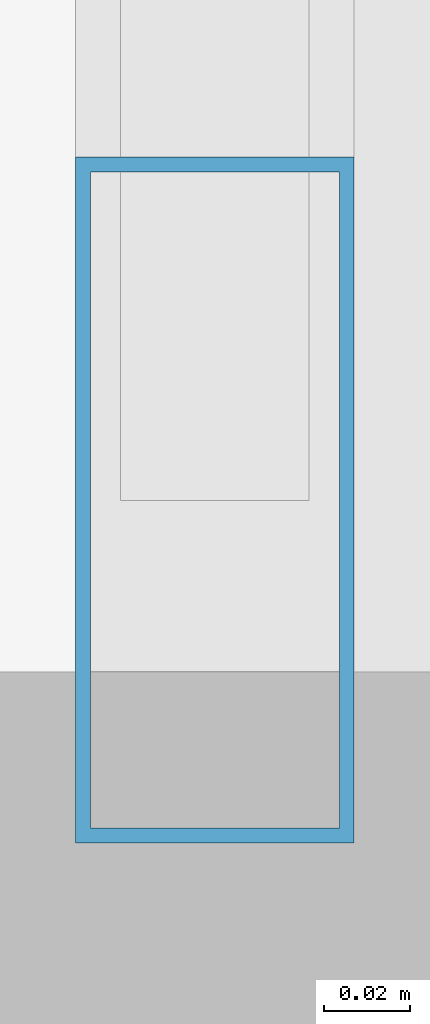
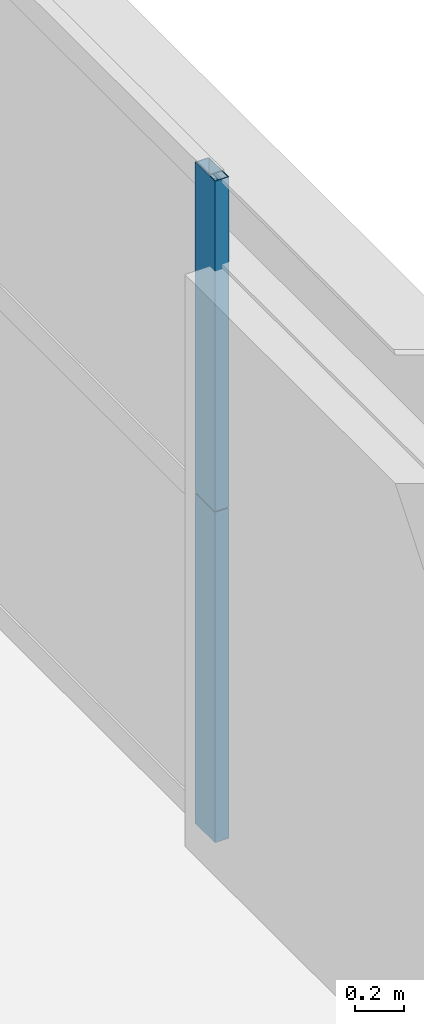
# One storey, part 22 of 45: 2 members, 1 element without a shape of its own.
"""IFC4 building model written with IfcOpenShell, lengths in metres."""

from ifc_helpers import new_model, si_unit, direction, frame, origin, origin_2d, place, context, subcontext, project, spatial, hollow_rectangle, extrude, source, transform, mapped, material, layer, layer_set, material_profile, profile_set, type_object, element, aggregate, save


model = new_model("IFC4")

# Units and contexts
model_context = context("Model", 3, precision=1e-05, world=origin(), true_north=direction((0.0, 1.0)))
body_context = subcontext(model_context, "Body", "Model", "MODEL_VIEW")
ifc_project = project(units=[si_unit("LENGTHUNIT", "METRE"), si_unit("AREAUNIT", "SQUARE_METRE"), si_unit("VOLUMEUNIT", "CUBIC_METRE"), si_unit("PLANEANGLEUNIT", "RADIAN"), si_unit("MASSUNIT", "GRAM", prefix="KILO"), si_unit("THERMODYNAMICTEMPERATUREUNIT", "KELVIN"), si_unit("POWERUNIT", "WATT")], contexts=[model_context])

# Site, building, storey
site_placement = place(None, origin())
site = spatial("IfcSite", under=ifc_project, at=site_placement, CompositionType="ELEMENT")
building_placement = place(site_placement, origin())
building = spatial("IfcBuilding", under=site, at=building_placement, Name="Yuzanri Waterfront Tower", CompositionType="ELEMENT")
storey_placement = place(building_placement, frame((0.0, 0.0, 212.5)))
storey = spatial("IfcBuildingStorey", under=building, at=storey_placement, Name="L56", CompositionType="ELEMENT", Elevation=212.5)

# Curtain wall, members
ifc_material_1 = material(Name="Anodized Architectural Bronze", Category="metal")
ifc_layer = layer(ifc_material_1, 0.159912109375)
ifc_layer_set = layer_set([ifc_layer], Name="Anodized Architectural Bronze")
curtain_wall_type = type_object("IfcCurtainWallType", Name="Anodized Bronze Mid-Rise Residential Acoustic Unitized Curtain Wall 7200", PredefinedType="NOTDEFINED", material=ifc_layer_set)
curtain_wall_placement = place(storey_placement, origin())
curtain_wall = element("IfcCurtainWall", 1, at=curtain_wall_placement, inside=storey, type_object=curtain_wall_type, Name="L56 Curtain Wall CW-L56-EL", PredefinedType="NOTDEFINED")
ifc_material_2 = material(Name="Anodized Architectural Bronze", Category="metal")
ifc_material_profile = material_profile(ifc_material_2, hollow_rectangle(XDim=0.06494140625, YDim=0.159912109375, WallThickness=0.00341796875, at=origin_2d()), Name="CWM 65x160")
ifc_profile_set = profile_set([ifc_material_profile], Name="Anodized Architectural Bronze")
member_type = type_object("IfcMemberType", Name="Anodized Bronze Upper-Zone Curtain-Wall Mullion 65x160", PredefinedType="MULLION", material=ifc_profile_set)
shared_shape = source(origin(), body_context, "Body", "SweptSolid", [
    extrude(hollow_rectangle(XDim=0.06494140625, YDim=0.159912109375, WallThickness=0.00341796875, at=origin_2d()), origin(), (0.0, 0.0, 1.0), 1.637939453125),
])
member_1_placement = place(storey_placement, frame((58.949951171875, 11.090087890625, 0.0), z_axis=(0.0, 0.0, 1.0), x_axis=(1.0, 0.0, 0.0)))
member_1 = element("IfcMember", 2, at=member_1_placement, type_object=member_type, Name="CW-L56-EL Lower Mullion 00", PredefinedType="MULLION", context=body_context, shape_type="MappedRepresentation", body=[
    mapped(shared_shape, transform((0.0, 0.0, 0.0), scale=1.0)),
])
member_2_placement = place(storey_placement, frame((58.949951171875, 11.090087890625, 1.64208984375), z_axis=(0.0, 0.0, 1.0), x_axis=(1.0, 0.0, 0.0)))
member_2 = element("IfcMember", 3, at=member_2_placement, type_object=member_type, Name="CW-L56-EL Upper Mullion 00", PredefinedType="MULLION", context=body_context, shape_type="MappedRepresentation", body=[
    mapped(shared_shape, transform((0.0, 0.0, 0.0), scale=1.0)),
])
aggregate(curtain_wall, [member_1, member_2])

save(model, "model.ifc")
